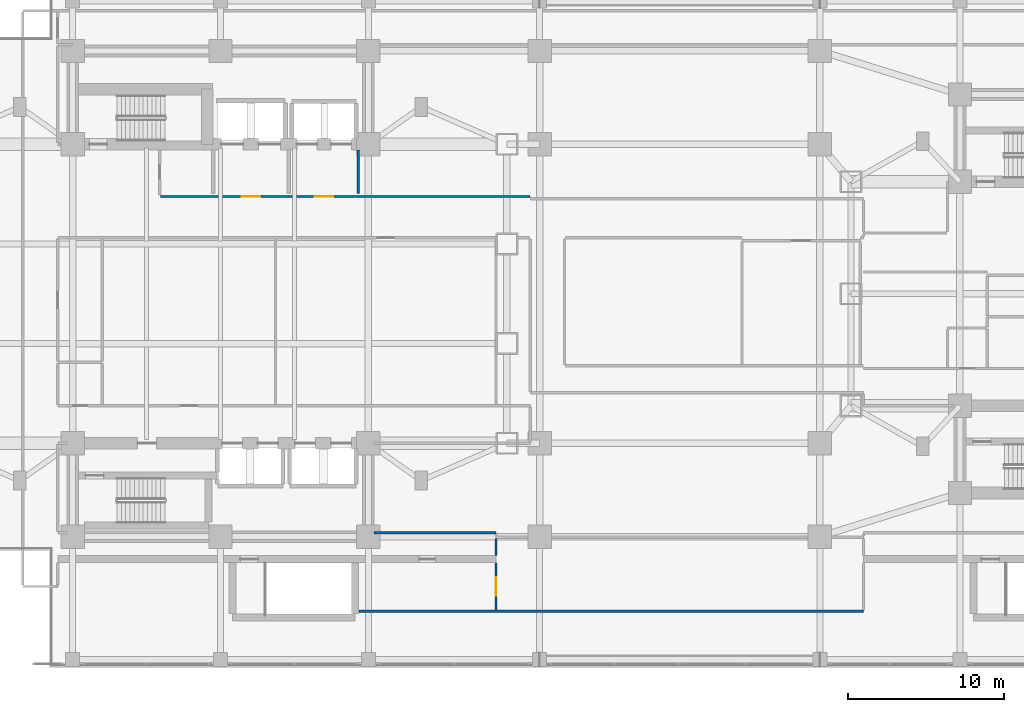
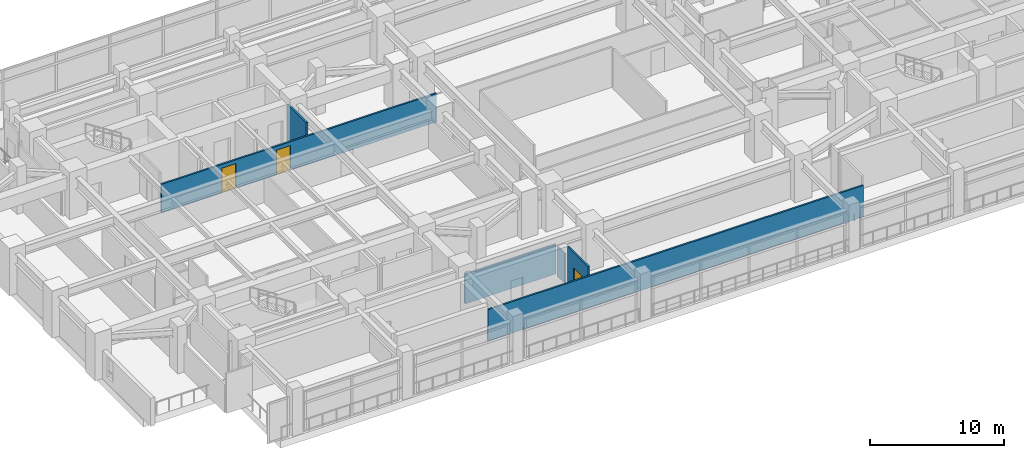
# One storey, part 15 of 27: 6 walls, 3 doors, 3 openings.
"""IFC4 building model written with IfcOpenShell, lengths in metres."""

import ifcopenshell
import ifcopenshell.guid

model = None  # the IFC model being written
_history = None  # IfcOwnerHistory: only IFC2X3 demands one
_inside = {}  # id of a spatial element -> (the spatial element, [elements in it])
_under = {}  # id of a project, library or spatial element -> (it, [spatial elements below it])
_declared = {}  # id of a project -> (the project, [libraries it declares])
_typed = {}  # id of a type object -> (the type object, [elements of that type])
_made_of = {}  # id of a material, layer set ... -> (it, [elements and type objects made of it])


def new_model(schema):
    """Start an empty IFC model of exactly this schema.

    Asked for "IFC4X3", IfcOpenShell would pick the latest addendum, in which some entities
    have other attributes; the version numbers below select the first issue.
    IFC2X3 requires an IfcOwnerHistory on every rooted entity: one is made here for all.
    """
    global model, _history
    if schema == "IFC4X3":
        model = ifcopenshell.file(schema_version=(4, 3, 0, 0))
    else:
        model = ifcopenshell.file(schema=schema)
    _inside.clear()
    _under.clear()
    _declared.clear()
    _typed.clear()
    _made_of.clear()
    _history = None
    if model.schema == "IFC2X3":
        org = make("IfcOrganization", Name="unknown")
        user = make(
            "IfcPersonAndOrganization",
            ThePerson=make("IfcPerson", FamilyName="unknown"),
            TheOrganization=org,
        )
        app = make(
            "IfcApplication",
            ApplicationDeveloper=org,
            Version="unknown",
            ApplicationFullName="unknown",
            ApplicationIdentifier="unknown",
        )
        _history = make(
            "IfcOwnerHistory",
            OwningUser=user,
            OwningApplication=app,
            ChangeAction="ADDED",
            CreationDate=0,
        )
    return model


def make(cls, **values):
    """One entity of the class cls with the attributes given. An attribute that is None is left unset."""
    return model.create_entity(
        cls, **{name: value for name, value in values.items() if value is not None}
    )


def rooted(cls, **values):
    """An entity with a GlobalId (a new one), such as an element, a storey or a relation."""
    return make(cls, GlobalId=ifcopenshell.guid.new(), OwnerHistory=_history, **values)


def si_unit(unit_type, name, prefix=None):
    """IfcSIUnit, for example si_unit("LENGTHUNIT", "METRE", prefix="MILLI")."""
    return make("IfcSIUnit", UnitType=unit_type, Prefix=prefix, Name=name)


def assignment(units):
    """IfcUnitAssignment: the units of a project."""
    return None if units is None else make("IfcUnitAssignment", Units=units)


def point(xyz):
    """IfcCartesianPoint."""
    return None if xyz is None else make("IfcCartesianPoint", Coordinates=xyz)


def direction(xyz):
    """IfcDirection."""
    return None if xyz is None else make("IfcDirection", DirectionRatios=xyz)


def frame(location, z_axis=None, x_axis=None):
    """IfcAxis2Placement3D, a coordinate frame: its origin and axes. An axis left out is left unset."""
    return make(
        "IfcAxis2Placement3D",
        Location=point(location),
        Axis=direction(z_axis),
        RefDirection=direction(x_axis),
    )


def frame_2d(location, x_axis=None):
    """IfcAxis2Placement2D, a coordinate frame in the plane: its origin and x axis."""
    return make(
        "IfcAxis2Placement2D", Location=point(location), RefDirection=direction(x_axis)
    )


def origin():
    """The frame at (0, 0, 0) with its axes left unset."""
    return frame((0.0, 0.0, 0.0))


def place(relative_to, where):
    """IfcLocalPlacement: puts the frame where relative to a parent placement (None: the world)."""
    return make(
        "IfcLocalPlacement", PlacementRelTo=relative_to, RelativePlacement=where
    )


def context(
    kind, dimensions, precision=None, world=None, true_north=None, identifier=None
):
    """IfcGeometricRepresentationContext, for example the 3D "Model" context."""
    return make(
        "IfcGeometricRepresentationContext",
        ContextIdentifier=identifier,
        ContextType=kind,
        CoordinateSpaceDimension=dimensions,
        Precision=precision,
        WorldCoordinateSystem=world,
        TrueNorth=true_north,
    )


def subcontext(parent, identifier, kind, view, scale=None):
    """IfcGeometricRepresentationSubContext, for example "Body" below "Model"."""
    return make(
        "IfcGeometricRepresentationSubContext",
        ContextIdentifier=identifier,
        ContextType=kind,
        ParentContext=parent,
        TargetScale=scale,
        TargetView=view,
    )


def project(units=None, contexts=None):
    """IfcProject with its units and contexts."""
    return rooted(
        "IfcProject",
        Name="project",
        RepresentationContexts=contexts,
        UnitsInContext=assignment(units),
    )


def spatial(cls, under=None, at=None, **own):
    """A site, building, storey or space (cls), placed at a placement, below another one or the project."""
    s = rooted(cls, ObjectPlacement=at, **own)
    if under is not None:
        _under.setdefault(under.id(), (under, []))[1].append(s)
    return s


def profile(cls, at=None, kind="AREA", **sizes):
    """A parametric profile (cls). Its sizes go by their IFC names, for example OverallWidth=200.0."""
    return make(cls, ProfileType=kind, Position=at, **sizes)


def rectangle(**sizes):
    """IfcRectangleProfileDef."""
    return profile("IfcRectangleProfileDef", **sizes)


def extrude(swept, where, along, depth):
    """IfcExtrudedAreaSolid: the profile swept, set in the frame where, extruded along a direction by depth."""
    return make(
        "IfcExtrudedAreaSolid",
        SweptArea=swept,
        Position=where,
        ExtrudedDirection=direction(along),
        Depth=depth,
    )


def shape(context_of_items, identifier, shape_type, items):
    """IfcShapeRepresentation: the items that make up one representation, for example the "Body"."""
    return make(
        "IfcShapeRepresentation",
        ContextOfItems=context_of_items,
        RepresentationIdentifier=identifier,
        RepresentationType=shape_type,
        Items=items,
    )


def material(Name=None, Category=None):
    """IfcMaterial."""
    return make("IfcMaterial", Name=Name, Category=Category)


def layer(
    of_material, thickness, ventilated=None, Name=None, Category=None, Priority=None
):
    """IfcMaterialLayer: one layer of a wall or slab, of a material (None: an air gap)."""
    return make(
        "IfcMaterialLayer",
        Material=of_material,
        LayerThickness=thickness,
        IsVentilated=ventilated,
        Name=Name,
        Category=Category,
        Priority=Priority,
    )


def layer_set(layers, Name=None):
    """IfcMaterialLayerSet."""
    return make("IfcMaterialLayerSet", MaterialLayers=layers, LayerSetName=Name)


def made_of(thing, what):
    """Note that an element or type object is made of a material, layer set ...; save() writes the relation."""
    if what is not None:
        _made_of.setdefault(what.id(), (what, []))[1].append(thing)
    return thing


def type_object(cls, material=None, **own):
    """A type object (cls), such as IfcWallType, which elements share."""
    return made_of(rooted(cls, **own), material)


def element(
    cls,
    number,
    at=None,
    inside=None,
    cuts=None,
    type_object=None,
    material=None,
    context=None,
    identifier="Body",
    shape_type=None,
    held_by="IfcProductDefinitionShape",
    body=None,
    shapes=None,
    **own,
):
    """One element of the class cls, such as IfcWall. Its Tag is "e" and its number.

    at: its placement. inside: the storey or other place that contains it. cuts: it is an
    opening in that element (IfcRelVoidsElement). A single representation is given by context,
    identifier, shape_type and body (its items); several are given by shapes. held_by: the class
    of the entity that holds the representations. save() writes the other relations.
    """
    e = rooted(cls, Tag="e%d" % number, ObjectPlacement=at, **own)
    if body is not None:
        shapes = [shape(context, identifier, shape_type, body)]
    if shapes is not None:
        e.Representation = make(held_by, Representations=shapes)
    if inside is not None:
        _inside.setdefault(inside.id(), (inside, []))[1].append(e)
    if cuts is not None:
        rooted(
            "IfcRelVoidsElement", RelatingBuildingElement=cuts, RelatedOpeningElement=e
        )
    if type_object is not None:
        _typed.setdefault(type_object.id(), (type_object, []))[1].append(e)
    return made_of(e, material)


def fill(opening, filler):
    """IfcRelFillsElement: the door or window that sits in an opening."""
    return rooted(
        "IfcRelFillsElement",
        RelatingOpeningElement=opening,
        RelatedBuildingElement=filler,
    )


def aggregate(whole, parts):
    """IfcRelAggregates: a whole, such as a stair, and the parts it consists of."""
    return rooted("IfcRelAggregates", RelatingObject=whole, RelatedObjects=parts)


def save(model, path):
    """Write the relations noted so far, then the file.

    IfcRelAggregates (storeys below a building ...), IfcRelContainedInSpatialStructure (elements
    in a storey), IfcRelDefinesByType, IfcRelAssociatesMaterial and IfcRelDeclares: one each for
    every whole, place, type object, material and project.
    """
    for whole, parts in _under.values():
        aggregate(whole, parts)
    for where, things in _inside.values():
        rooted(
            "IfcRelContainedInSpatialStructure",
            RelatedElements=things,
            RelatingStructure=where,
        )
    for kind, things in _typed.values():
        rooted("IfcRelDefinesByType", RelatedObjects=things, RelatingType=kind)
    for what, things in _made_of.values():
        rooted("IfcRelAssociatesMaterial", RelatedObjects=things, RelatingMaterial=what)
    for by, libraries in _declared.values():
        rooted("IfcRelDeclares", RelatingContext=by, RelatedDefinitions=libraries)
    model.write(path)


model = new_model("IFC4")

# Units and contexts
model_context = context("Model", 3, precision=1e-05, world=origin(), true_north=direction((0.0, 1.0)))
body_context = subcontext(model_context, "Body", "Model", "MODEL_VIEW")
ifc_project = project(units=[si_unit("LENGTHUNIT", "METRE"), si_unit("AREAUNIT", "SQUARE_METRE"), si_unit("VOLUMEUNIT", "CUBIC_METRE"), si_unit("PLANEANGLEUNIT", "RADIAN"), si_unit("MASSUNIT", "GRAM", prefix="KILO")], contexts=[model_context])

# Site, building, storey
site_placement = place(None, origin())
site = spatial("IfcSite", under=ifc_project, at=site_placement, CompositionType="ELEMENT")
building_placement = place(site_placement, origin())
building = spatial("IfcBuilding", under=site, at=building_placement, Name="Mirazonda Arch Towers", CompositionType="ELEMENT")
storey_placement = place(building_placement, frame((0.0, 0.0, 18.10009765625)))
storey = spatial("IfcBuildingStorey", under=building, at=storey_placement, Name="L04", CompositionType="ELEMENT", Elevation=18.10009765625)

# Walls
ifc_material_1 = material(Name="Fire-Rated Gypsum Stud Partition")
ifc_layer = layer(ifc_material_1, 0.14990234375, Name="WALL-PART-CORR-150")
ifc_layer_set = layer_set([ifc_layer], Name="Fire-Rated Gypsum Stud Partition")
wall_type = type_object("IfcWallType", Name="WALL-PART-CORR-150", PredefinedType="PARTITIONING", material=ifc_layer_set)
wall_1_placement = place(storey_placement, frame((29.39990234375, 7.60009765625, 0.0), z_axis=(0.0, 0.0, 1.0), x_axis=(1.0, 0.0, 0.0)))
element("IfcWall", 1, at=wall_1_placement, inside=storey, type_object=wall_type, Name="L04 Interior Partition 003", PredefinedType="PARTITIONING", context=body_context, shape_type="SweptSolid", body=[
    extrude(rectangle(XDim=32.400146484375, YDim=0.14990234375, at=frame_2d((16.2001953125, 0.0))), origin(), (0.0, 0.0, 1.0), 2.868896484375),
])
wall_2_placement = place(storey_placement, frame((30.3701171875, 12.64990234375, 0.0), z_axis=(0.0, 0.0, 1.0), x_axis=(1.0, 0.0, 0.0)))
element("IfcWall", 2, at=wall_2_placement, inside=storey, type_object=wall_type, Name="L04 Interior Partition 011", PredefinedType="PARTITIONING", context=body_context, shape_type="SweptSolid", body=[
    extrude(rectangle(XDim=7.829833984375, YDim=0.14990234375, at=frame_2d((3.9150390625, 0.0))), origin(), (0.0, 0.0, 1.0), 2.69384765625),
])

# Wall, openings, doors
wall_3_placement = place(storey_placement, frame((16.64990234375, 34.25, 0.0), z_axis=(0.0, 0.0, 1.0), x_axis=(1.0, 0.0, 0.0)))
wall_3 = element("IfcWall", 3, at=wall_3_placement, inside=storey, type_object=wall_type, Name="L04 Interior Partition 040", PredefinedType="PARTITIONING", context=body_context, shape_type="SweptSolid", body=[
    extrude(rectangle(XDim=23.72998046875, YDim=0.14990234375, at=frame_2d((11.864990234375, 0.0))), origin(), (0.0, 0.0, 1.0), 2.601806640625),
])
opening_1_placement = place(wall_3_placement, frame((5.199951171875, 0.0, 0.0)))
opening_1 = element("IfcOpeningElement", 4, at=opening_1_placement, cuts=wall_3, Name="Opening DR-117", PredefinedType="OPENING", context=body_context, shape_type="SweptSolid", body=[
    extrude(rectangle(XDim=1.199951171875, YDim=2.25, at=frame_2d((0.60009765625, 1.125))), frame((0.0, 0.0849609375, 0.0), z_axis=(0.0, -1.0, 0.0), x_axis=(1.0, 0.0, 0.0)), (0.0, 0.0, 1.0), 0.169921875),
])
opening_2_placement = place(wall_3_placement, frame((9.89990234375, 0.0, 0.0)))
opening_2 = element("IfcOpeningElement", 5, at=opening_2_placement, cuts=wall_3, Name="Opening DR-117", PredefinedType="OPENING", context=body_context, shape_type="SweptSolid", body=[
    extrude(rectangle(XDim=1.199951171875, YDim=2.25, at=frame_2d((0.60009765625, 1.125))), frame((0.0, 0.0849609375, 0.0), z_axis=(0.0, -1.0, 0.0), x_axis=(1.0, 0.0, 0.0)), (0.0, 0.0, 1.0), 0.169921875),
])
ifc_material_2 = material(Name="Architectural Brushed Steel S355", Category="steel")
door_type = type_object("IfcDoorType", Name="DOOR-FFL-FD90-1200", OperationType="NOTDEFINED", PredefinedType="DOOR", material=ifc_material_2)
door_1_placement = place(opening_1_placement, origin())
door_1 = element("IfcDoor", 6, at=door_1_placement, inside=storey, type_object=door_type, Name="L04 Firefighting Lift Lobby Door", OperationType="SINGLE_SWING_LEFT", OverallHeight=2.25, OverallWidth=1.199951171875, PredefinedType="DOOR", context=body_context, shape_type="SweptSolid", body=[
    extrude(rectangle(XDim=1.199951171875, YDim=2.25, at=frame_2d((0.60009765625, 1.125))), frame((0.0, 0.02490234375, 0.0), z_axis=(0.0, -1.0, 0.0), x_axis=(1.0, 0.0, 0.0)), (0.0, 0.0, 1.0), 0.050048828125),
])
fill(opening_1, door_1)
door_2_placement = place(opening_2_placement, origin())
door_2 = element("IfcDoor", 7, at=door_2_placement, inside=storey, type_object=door_type, Name="L04 Passenger Lift Lobby North Door", OperationType="SINGLE_SWING_RIGHT", OverallHeight=2.25, OverallWidth=1.199951171875, PredefinedType="DOOR", context=body_context, shape_type="SweptSolid", body=[
    extrude(rectangle(XDim=1.199951171875, YDim=2.25, at=frame_2d((0.60009765625, 1.125))), frame((0.0, 0.02490234375, 0.0), z_axis=(0.0, -1.0, 0.0), x_axis=(1.0, 0.0, 0.0)), (0.0, 0.0, 1.0), 0.050048828125),
])
fill(opening_2, door_2)

# Wall
wall_4_placement = place(storey_placement, frame((29.35009765625, 34.449951171875, 0.0), z_axis=(0.0, 0.0, 1.0), x_axis=(0.0, 1.0, 0.0)))
element("IfcWall", 8, at=wall_4_placement, inside=storey, type_object=wall_type, Name="L04 Interior Partition 074", PredefinedType="PARTITIONING", context=body_context, shape_type="SweptSolid", body=[
    extrude(rectangle(XDim=2.780029296875, YDim=0.14990234375, at=frame_2d((1.39013671875, 0.0))), origin(), (0.0, 0.0, 1.0), 3.64990234375),
])

# Wall, opening, door
wall_5_placement = place(storey_placement, frame((38.199951171875, 7.68505859375, 0.0), z_axis=(0.0, 0.0, 1.0), x_axis=(0.0, 1.0, 0.0)))
wall_5 = element("IfcWall", 9, at=wall_5_placement, inside=storey, type_object=wall_type, Name="L04 Interior Partition 076", PredefinedType="PARTITIONING", context=body_context, shape_type="SweptSolid", body=[
    extrude(rectangle(XDim=3.030029296875, YDim=0.14990234375, at=frame_2d((1.51513671875, 0.0))), origin(), (0.0, 0.0, 1.0), 3.64990234375),
])
opening_3_placement = place(wall_5_placement, frame((0.9150390625, 0.0, 0.0)))
opening_3 = element("IfcOpeningElement", 10, at=opening_3_placement, cuts=wall_5, Name="Opening DR-117", PredefinedType="OPENING", context=body_context, shape_type="SweptSolid", body=[
    extrude(rectangle(XDim=1.199951171875, YDim=2.25, at=frame_2d((0.60009765625, 1.125))), frame((0.0, 0.0849609375, 0.0), z_axis=(0.0, -1.0, 0.0), x_axis=(1.0, 0.0, 0.0)), (0.0, 0.0, 1.0), 0.169921875),
])
door_3_placement = place(opening_3_placement, origin())
door_3 = element("IfcDoor", 11, at=door_3_placement, inside=storey, type_object=door_type, Name="L04 L04 Arch-Span South Pavilion Door", OperationType="SINGLE_SWING_LEFT", OverallHeight=2.25, OverallWidth=1.199951171875, PredefinedType="DOOR", context=body_context, shape_type="SweptSolid", body=[
    extrude(rectangle(XDim=1.199951171875, YDim=2.25, at=frame_2d((0.60009765625, 1.125))), frame((0.0, 0.02490234375, 0.0), z_axis=(0.0, -1.0, 0.0), x_axis=(1.0, 0.0, 0.0)), (0.0, 0.0, 1.0), 0.050048828125),
])
fill(opening_3, door_3)

# Wall
wall_6_placement = place(storey_placement, frame((38.199951171875, 11.18505859375, 0.0), z_axis=(0.0, 0.0, 1.0), x_axis=(0.0, 1.0, 0.0)))
element("IfcWall", 12, at=wall_6_placement, inside=storey, type_object=wall_type, Name="L04 Interior Partition 077", PredefinedType="PARTITIONING", context=body_context, shape_type="SweptSolid", body=[
    extrude(rectangle(XDim=1.079833984375, YDim=0.14990234375, at=frame_2d((0.5400390625, 0.0))), origin(), (0.0, 0.0, 1.0), 2.69384765625),
])

save(model, "model.ifc")
